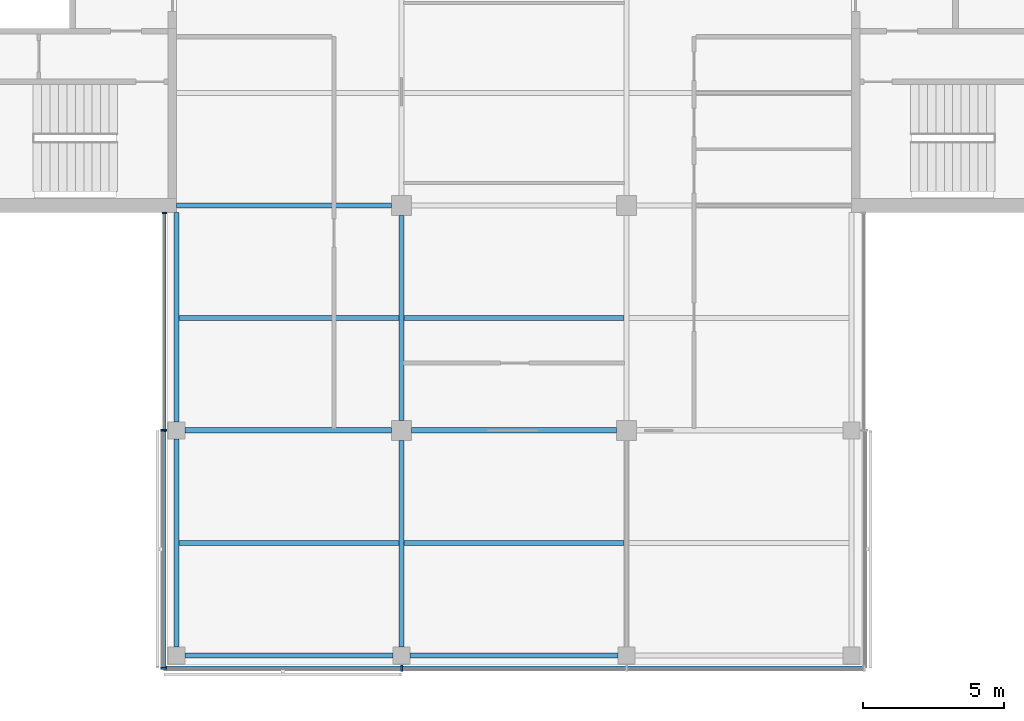
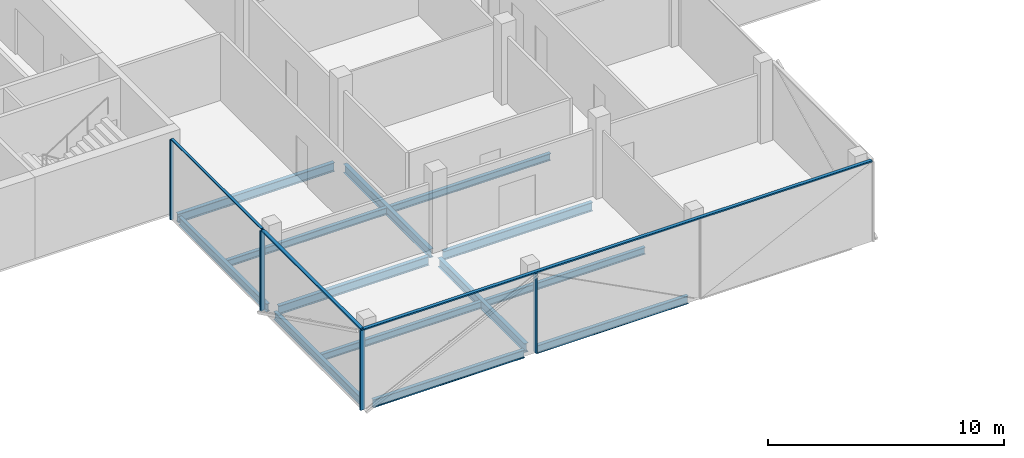
# One storey, part 2 of 15: 13 beams, 8 members, 3 elements without a shape of their own.
"""IFC4 building model written with IfcOpenShell, lengths in metres."""

from ifc_helpers import new_model, si_unit, direction, frame, origin, origin_2d, place, context, subcontext, project, spatial, rectangle, i_section, extrude, material, material_profile, profile_set, type_object, element, aggregate, save


model = new_model("IFC4")

# Units and contexts
model_context = context("Model", 3, precision=1e-05, world=origin(), true_north=direction((0.0, 1.0)))
body_context = subcontext(model_context, "Body", "Model", "MODEL_VIEW")
ifc_project = project(units=[si_unit("LENGTHUNIT", "METRE"), si_unit("AREAUNIT", "SQUARE_METRE"), si_unit("VOLUMEUNIT", "CUBIC_METRE"), si_unit("PLANEANGLEUNIT", "RADIAN"), si_unit("MASSUNIT", "GRAM", prefix="KILO")], contexts=[model_context])

# Site, building, storey
site_placement = place(None, origin())
site = spatial("IfcSite", under=ifc_project, at=site_placement, CompositionType="ELEMENT")
building_placement = place(site_placement, origin())
building = spatial("IfcBuilding", under=site, at=building_placement, Name="Crosswind Convention Tower", CompositionType="ELEMENT")
storey_placement = place(building_placement, frame((0.0, 0.0, 261.89990234375)))
storey = spatial("IfcBuildingStorey", under=building, at=storey_placement, Name="L56", CompositionType="ELEMENT", Elevation=261.89990234375)

# Beams
ifc_material_1 = material(Name="Steel S355", Category="steel")
ifc_material_profile_1 = material_profile(ifc_material_1, i_section(OverallWidth=0.177734375, OverallDepth=0.406494140625, WebThickness=0.0078125, FlangeThickness=0.0126953125, FilletRadius=0.01025390625, at=origin_2d()), Name="UB 406x178x60")
ifc_profile_set_1 = profile_set([ifc_material_profile_1], Name="Steel S355")
beam_type_1 = type_object("IfcBeamType", Name="Edge beam UB 406x178x60", PredefinedType="SPANDREL", material=ifc_profile_set_1)
beam_1_placement = place(storey_placement, frame((113.0, 72.300048828125, -0.503173828125), z_axis=(0.0, 1.0, 0.0), x_axis=(-1.0, 0.0, 0.0)))
element("IfcBeam", 1, at=beam_1_placement, inside=storey, type_object=beam_type_1, Name="B15 L56 edge beam 1", PredefinedType="SPANDREL", context=body_context, shape_type="SweptSolid", body=[
    extrude(i_section(OverallWidth=0.177734375, OverallDepth=0.406494140625, WebThickness=0.0078125, FlangeThickness=0.0126953125, FilletRadius=0.01025390625, at=origin_2d()), origin(), (0.0, 0.0, 1.0), 7.39990234375),
])
beam_2_placement = place(storey_placement, frame((113.0, 80.300048828125, -0.503173828125), z_axis=(0.0, 1.0, 0.0), x_axis=(-1.0, 0.0, 0.0)))
element("IfcBeam", 2, at=beam_2_placement, inside=storey, type_object=beam_type_1, Name="B15 L56 edge beam 2", PredefinedType="SPANDREL", context=body_context, shape_type="SweptSolid", body=[
    extrude(i_section(OverallWidth=0.177734375, OverallDepth=0.406494140625, WebThickness=0.0078125, FlangeThickness=0.0126953125, FilletRadius=0.01025390625, at=origin_2d()), origin(), (0.0, 0.0, 1.0), 7.449951171875),
])
for number, where, z_axis, x_axis, name in (
    (3, (113.300048828125, 72.0, -0.503173828125), (1.0, 0.0, 0.0), (0.0, 1.0, 0.0), "B15 L56 edge beam 5"),
    (4, (121.300048828125, 72.0, -0.503173828125), (1.0, 0.0, 0.0), (0.0, 1.0, 0.0), "B15 L56 edge beam 7"),
):
    element("IfcBeam", number, at=place(storey_placement, frame(where, z_axis=z_axis, x_axis=x_axis)), inside=storey, type_object=beam_type_1, Name=name, PredefinedType="SPANDREL", context=body_context, shape_type="SweptSolid", body=[
        extrude(i_section(OverallWidth=0.177734375, OverallDepth=0.406494140625, WebThickness=0.0078125, FlangeThickness=0.0126953125, FilletRadius=0.01025390625, at=origin_2d()), origin(), (0.0, 0.0, 1.0), 7.39990234375),
    ])
ifc_material_profile_2 = material_profile(ifc_material_1, i_section(OverallWidth=0.18994140625, OverallDepth=0.45361328125, WebThickness=0.008544921875, FlangeThickness=0.0126953125, FilletRadius=0.01025390625, at=origin_2d()), Name="UB 457x191x67")
ifc_profile_set_2 = profile_set([ifc_material_profile_2], Name="Steel S355")
beam_type_2 = type_object("IfcBeamType", Name="Girder UB 457x191x67", PredefinedType="BEAM", material=ifc_profile_set_2)
for number, where, z_axis, x_axis, name in (
    (5, (113.300048828125, 80.0, -0.526611328125), (1.0, 0.0, 0.0), (0.0, 1.0, 0.0), "B1 L56 girder 1"),
    (6, (121.0, 72.300048828125, -0.526611328125), (0.0, 1.0, 0.0), (-1.0, 0.0, 0.0), "B1 L56 girder 3"),
):
    element("IfcBeam", number, at=place(storey_placement, frame(where, z_axis=z_axis, x_axis=x_axis)), inside=storey, type_object=beam_type_2, Name=name, PredefinedType="BEAM", context=body_context, shape_type="SweptSolid", body=[
        extrude(i_section(OverallWidth=0.18994140625, OverallDepth=0.45361328125, WebThickness=0.008544921875, FlangeThickness=0.0126953125, FilletRadius=0.01025390625, at=origin_2d()), origin(), (0.0, 0.0, 1.0), 7.349853515625),
    ])
for number, where, z_axis, x_axis, name in (
    (7, (121.0, 80.35009765625, -0.526611328125), (0.0, 1.0, 0.0), (-1.0, 0.0, 0.0), "B1 L56 girder 4"),
    (8, (121.35009765625, 80.0, -0.526611328125), (1.0, 0.0, 0.0), (0.0, 1.0, 0.0), "B1 L56 girder 10"),
):
    element("IfcBeam", number, at=place(storey_placement, frame(where, z_axis=z_axis, x_axis=x_axis)), inside=storey, type_object=beam_type_2, Name=name, PredefinedType="BEAM", context=body_context, shape_type="SweptSolid", body=[
        extrude(i_section(OverallWidth=0.18994140625, OverallDepth=0.45361328125, WebThickness=0.008544921875, FlangeThickness=0.0126953125, FilletRadius=0.01025390625, at=origin_2d()), origin(), (0.0, 0.0, 1.0), 7.2998046875),
    ])
ifc_material_profile_3 = material_profile(ifc_material_1, i_section(OverallWidth=0.1904296875, OverallDepth=0.457275390625, WebThickness=0.009033203125, FlangeThickness=0.014404296875, FilletRadius=0.01025390625, at=origin_2d()), Name="UB 457x191x75")
ifc_profile_set_3 = profile_set([ifc_material_profile_3], Name="Steel S355")
beam_type_3 = type_object("IfcBeamType", Name="Girder at core wall UB 457x191x75", PredefinedType="BEAM", material=ifc_profile_set_3)
beam_3_placement = place(storey_placement, frame((113.0, 88.0, -0.528564453125), z_axis=(1.0, 0.0, 0.0), x_axis=(0.0, 1.0, 0.0)))
element("IfcBeam", 9, at=beam_3_placement, inside=storey, type_object=beam_type_3, Name="B22 L56 girder at core wall 1", PredefinedType="BEAM", context=body_context, shape_type="SweptSolid", body=[
    extrude(i_section(OverallWidth=0.1904296875, OverallDepth=0.457275390625, WebThickness=0.009033203125, FlangeThickness=0.014404296875, FilletRadius=0.01025390625, at=origin_2d()), origin(), (0.0, 0.0, 1.0), 7.64990234375),
])

# Curtain wall, members
ifc_material_2 = material(Name="Aluminium unitised curtain wall", Category="aluminium")
curtain_wall_type_1 = type_object("IfcCurtainWallType", Name="CORE END SLOT WALL 160", PredefinedType="USERDEFINED", material=ifc_material_2)
curtain_wall_1_placement = place(storey_placement, origin())
curtain_wall_1 = element("IfcCurtainWall", 10, at=curtain_wall_1_placement, inside=storey, type_object=curtain_wall_type_1, Name="CW6 L56 S-W.1-1 slot", ObjectType="UNITISED", PredefinedType="USERDEFINED")
ifc_material_3 = material(Name="Aluminium mullion", Category="aluminium")
ifc_material_profile_4 = material_profile(ifc_material_3, rectangle(XDim=0.159912109375, YDim=0.050048828125, at=origin_2d()), Name="AL 160X50")
ifc_profile_set_4 = profile_set([ifc_material_profile_4], Name="Aluminium mullion")
member_type_1 = type_object("IfcMemberType", Name="MULLION 50X160", PredefinedType="MULLION", material=ifc_profile_set_4)
member_1_placement = place(storey_placement, frame((112.570068359375, 87.72509765625, -0.2998046875), z_axis=(0.0, 0.0, 1.0), x_axis=(-1.0, 0.0, 0.0)))
member_1 = element("IfcMember", 11, at=member_1_placement, type_object=member_type_1, Name="CW6 mullion 1", PredefinedType="MULLION", context=body_context, shape_type="SweptSolid", body=[
    extrude(rectangle(XDim=0.159912109375, YDim=0.050048828125, at=origin_2d()), origin(), (0.0, 0.0, 1.0), 4.14990234375),
])
member_2_placement = place(storey_placement, frame((112.570068359375, 80.02490234375, -0.2998046875), z_axis=(0.0, 0.0, 1.0), x_axis=(-1.0, 0.0, 0.0)))
member_2 = element("IfcMember", 12, at=member_2_placement, type_object=member_type_1, Name="CW6 mullion 2", PredefinedType="MULLION", context=body_context, shape_type="SweptSolid", body=[
    extrude(rectangle(XDim=0.159912109375, YDim=0.050048828125, at=origin_2d()), origin(), (0.0, 0.0, 1.0), 4.14990234375),
])

curtain_wall_type_2 = type_object("IfcCurtainWallType", Name="OFFICE UNITISED WALL 220", PredefinedType="USERDEFINED", material=ifc_material_2)
curtain_wall_2_placement = place(storey_placement, origin())
curtain_wall_2 = element("IfcCurtainWall", 13, at=curtain_wall_2_placement, inside=storey, type_object=curtain_wall_type_2, Name="CW3 L56 S-W 1", ObjectType="UNITISED", PredefinedType="USERDEFINED")
ifc_material_profile_5 = material_profile(ifc_material_3, rectangle(XDim=0.219970703125, YDim=0.070068359375, at=origin_2d()), Name="AL 220X70")
ifc_profile_set_5 = profile_set([ifc_material_profile_5], Name="Aluminium mullion")
member_type_2 = type_object("IfcMemberType", Name="MULLION 70X220", PredefinedType="MULLION", material=ifc_profile_set_5)
member_3_placement = place(storey_placement, frame((112.5400390625, 80.0, -0.2998046875), z_axis=(0.0, 0.0, 1.0), x_axis=(-1.0, 0.0, 0.0)))
member_3 = element("IfcMember", 14, at=member_3_placement, type_object=member_type_2, Name="CW3 mullion 1", PredefinedType="MULLION", context=body_context, shape_type="SweptSolid", body=[
    extrude(rectangle(XDim=0.219970703125, YDim=0.070068359375, at=origin_2d()), origin(), (0.0, 0.0, 1.0), 4.1298828125),
])
member_4_placement = place(storey_placement, frame((112.5400390625, 71.5400390625, -0.2998046875), z_axis=(0.0, 0.0, 1.0), x_axis=(-1.0, 0.0, 0.0)))
member_4 = element("IfcMember", 15, at=member_4_placement, type_object=member_type_2, Name="CW3 mullion 2", PredefinedType="MULLION", context=body_context, shape_type="SweptSolid", body=[
    extrude(rectangle(XDim=0.219970703125, YDim=0.070068359375, at=origin_2d()), origin(), (0.0, 0.0, 1.0), 4.1298828125),
])

# Curtain wall, member
curtain_wall_3_placement = place(storey_placement, origin())
curtain_wall_3 = element("IfcCurtainWall", 16, at=curtain_wall_3_placement, inside=storey, type_object=curtain_wall_type_2, Name="CW3 L56 S-TIP 1", ObjectType="UNITISED", PredefinedType="USERDEFINED")
member_5_placement = place(storey_placement, frame((121.0, 71.5400390625, -0.2998046875), z_axis=(0.0, 0.0, 1.0), x_axis=(0.0, -1.0, 0.0)))
member_5 = element("IfcMember", 17, at=member_5_placement, type_object=member_type_2, Name="CW3 mullion 2", PredefinedType="MULLION", context=body_context, shape_type="SweptSolid", body=[
    extrude(rectangle(XDim=0.219970703125, YDim=0.070068359375, at=origin_2d()), origin(), (0.0, 0.0, 1.0), 4.1298828125),
])

# Beams
ifc_material_profile_6 = material_profile(ifc_material_1, i_section(OverallWidth=0.17138671875, OverallDepth=0.355712890625, WebThickness=0.00732421875, FlangeThickness=0.011474609375, FilletRadius=0.01025390625, at=origin_2d()), Name="UB 356x171x51")
ifc_profile_set_6 = profile_set([ifc_material_profile_6], Name="Steel S355")
beam_type_4 = type_object("IfcBeamType", Name="Secondary beam UB 356x171x51", PredefinedType="JOIST", material=ifc_profile_set_6)
for number, where, z_axis, x_axis, name in (
    (18, (113.0888671875, 76.0, -0.477783203125), (1.0, 0.0, 0.0), (0.0, 1.0, 0.0), "B8 L56 secondary beam 4"),
    (19, (113.0888671875, 84.0, -0.477783203125), (1.0, 0.0, 0.0), (0.0, 1.0, 0.0), "B8 L56 secondary beam 5"),
):
    element("IfcBeam", number, at=place(storey_placement, frame(where, z_axis=z_axis, x_axis=x_axis)), inside=storey, type_object=beam_type_4, Name=name, PredefinedType="JOIST", context=body_context, shape_type="SweptSolid", body=[
        extrude(i_section(OverallWidth=0.17138671875, OverallDepth=0.355712890625, WebThickness=0.00732421875, FlangeThickness=0.011474609375, FilletRadius=0.01025390625, at=origin_2d()), origin(), (0.0, 0.0, 1.0), 7.816162109375),
    ])
for number, where, z_axis, x_axis, name in (
    (20, (121.094970703125, 76.0, -0.477783203125), (1.0, 0.0, 0.0), (0.0, 1.0, 0.0), "B8 L56 secondary beam 8"),
    (21, (121.094970703125, 84.0, -0.477783203125), (1.0, 0.0, 0.0), (0.0, 1.0, 0.0), "B8 L56 secondary beam 9"),
):
    element("IfcBeam", number, at=place(storey_placement, frame(where, z_axis=z_axis, x_axis=x_axis)), inside=storey, type_object=beam_type_4, Name=name, PredefinedType="JOIST", context=body_context, shape_type="SweptSolid", body=[
        extrude(i_section(OverallWidth=0.17138671875, OverallDepth=0.355712890625, WebThickness=0.00732421875, FlangeThickness=0.011474609375, FilletRadius=0.01025390625, at=origin_2d()), origin(), (0.0, 0.0, 1.0), 7.81005859375),
    ])

# Member
ifc_material_4 = material(Name="Aluminium transom", Category="aluminium")
ifc_material_profile_7 = material_profile(ifc_material_4, rectangle(XDim=0.1201171875, YDim=0.050048828125, at=origin_2d()), Name="AL 120X50")
ifc_profile_set_7 = profile_set([ifc_material_profile_7], Name="Aluminium transom")
member_type_3 = type_object("IfcMemberType", Name="TRANSOM 50X120", PredefinedType="USERDEFINED", material=ifc_profile_set_7)
member_6_placement = place(storey_placement, frame((112.570068359375, 87.699951171875, 3.875), z_axis=(0.0, -1.0, 0.0), x_axis=(1.0, 0.0, 0.0)))
member_6 = element("IfcMember", 22, at=member_6_placement, type_object=member_type_3, Name="CW6 transom", ObjectType="TRANSOM", PredefinedType="USERDEFINED", context=body_context, shape_type="SweptSolid", body=[
    extrude(rectangle(XDim=0.1201171875, YDim=0.050048828125, at=origin_2d()), origin(), (0.0, 0.0, 1.0), 7.64990234375),
])

aggregate(curtain_wall_1, [member_1, member_2, member_6])

ifc_material_profile_8 = material_profile(ifc_material_4, rectangle(XDim=0.159912109375, YDim=0.070068359375, at=origin_2d()), Name="AL 160X70")
ifc_profile_set_8 = profile_set([ifc_material_profile_8], Name="Aluminium transom")
member_type_4 = type_object("IfcMemberType", Name="TRANSOM 70X160", PredefinedType="USERDEFINED", material=ifc_profile_set_8)
member_7_placement = place(storey_placement, frame((112.5400390625, 79.965087890625, 3.864990234375), z_axis=(0.0, -1.0, 0.0), x_axis=(1.0, 0.0, 0.0)))
member_7 = element("IfcMember", 23, at=member_7_placement, type_object=member_type_4, Name="CW3 transom", ObjectType="TRANSOM", PredefinedType="USERDEFINED", context=body_context, shape_type="SweptSolid", body=[
    extrude(rectangle(XDim=0.159912109375, YDim=0.070068359375, at=origin_2d()), origin(), (0.0, 0.0, 1.0), 8.39013671875),
])

aggregate(curtain_wall_2, [member_3, member_4, member_7])

member_8_placement = place(storey_placement, frame((112.574951171875, 71.5400390625, 3.864990234375), z_axis=(1.0, 0.0, 0.0), x_axis=(0.0, 1.0, 0.0)))
member_8 = element("IfcMember", 24, at=member_8_placement, type_object=member_type_4, Name="CW3 transom", ObjectType="TRANSOM", PredefinedType="USERDEFINED", context=body_context, shape_type="SweptSolid", body=[
    extrude(rectangle(XDim=0.159912109375, YDim=0.070068359375, at=origin_2d()), origin(), (0.0, 0.0, 1.0), 24.85009765625),
])

aggregate(curtain_wall_3, [member_5, member_8])

save(model, "model.ifc")
